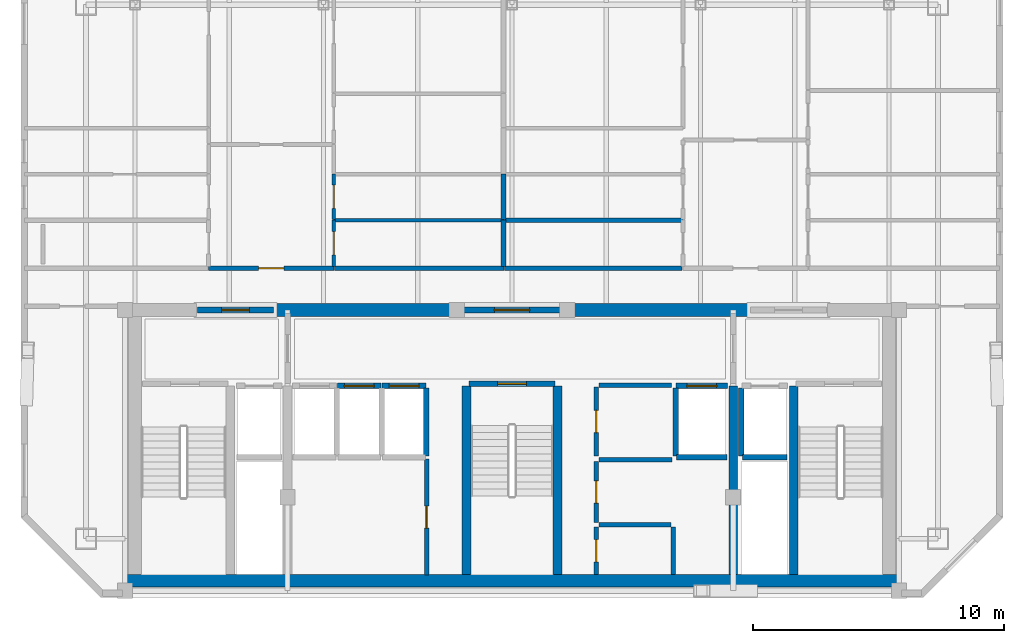
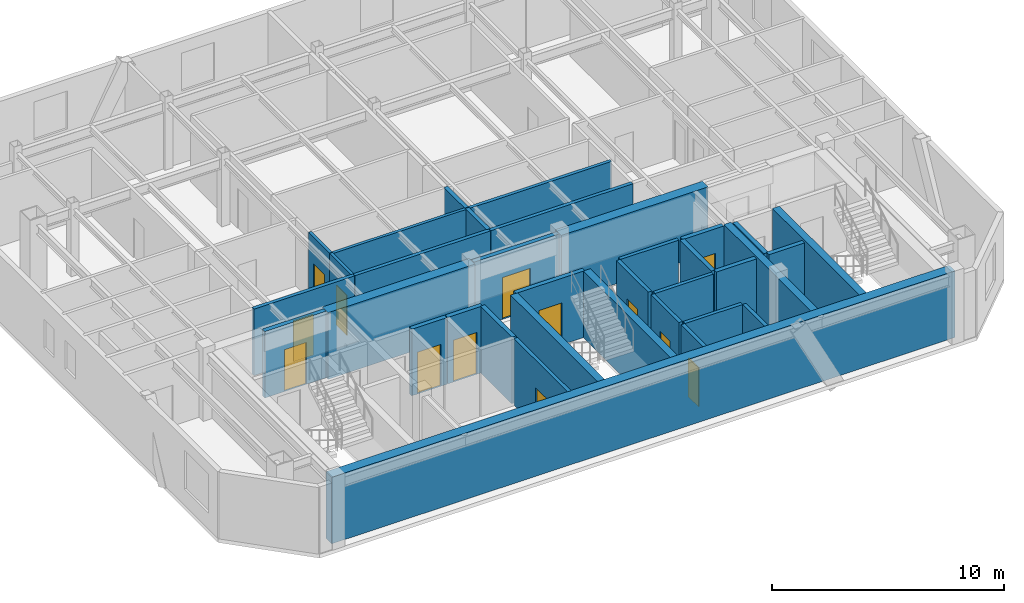
# One storey, part 3 of 7: 35 walls, 13 doors, 13 openings.
"""IFC4 building model written with IfcOpenShell, lengths in metres."""

import ifcopenshell
import ifcopenshell.guid

model = None  # the IFC model being written
_history = None  # IfcOwnerHistory: only IFC2X3 demands one
_inside = {}  # id of a spatial element -> (the spatial element, [elements in it])
_under = {}  # id of a project, library or spatial element -> (it, [spatial elements below it])
_declared = {}  # id of a project -> (the project, [libraries it declares])
_typed = {}  # id of a type object -> (the type object, [elements of that type])
_made_of = {}  # id of a material, layer set ... -> (it, [elements and type objects made of it])


def new_model(schema):
    """Start an empty IFC model of exactly this schema.

    Asked for "IFC4X3", IfcOpenShell would pick the latest addendum, in which some entities
    have other attributes; the version numbers below select the first issue.
    IFC2X3 requires an IfcOwnerHistory on every rooted entity: one is made here for all.
    """
    global model, _history
    if schema == "IFC4X3":
        model = ifcopenshell.file(schema_version=(4, 3, 0, 0))
    else:
        model = ifcopenshell.file(schema=schema)
    _inside.clear()
    _under.clear()
    _declared.clear()
    _typed.clear()
    _made_of.clear()
    _history = None
    if model.schema == "IFC2X3":
        org = make("IfcOrganization", Name="unknown")
        user = make(
            "IfcPersonAndOrganization",
            ThePerson=make("IfcPerson", FamilyName="unknown"),
            TheOrganization=org,
        )
        app = make(
            "IfcApplication",
            ApplicationDeveloper=org,
            Version="unknown",
            ApplicationFullName="unknown",
            ApplicationIdentifier="unknown",
        )
        _history = make(
            "IfcOwnerHistory",
            OwningUser=user,
            OwningApplication=app,
            ChangeAction="ADDED",
            CreationDate=0,
        )
    return model


def make(cls, **values):
    """One entity of the class cls with the attributes given. An attribute that is None is left unset."""
    return model.create_entity(
        cls, **{name: value for name, value in values.items() if value is not None}
    )


def rooted(cls, **values):
    """An entity with a GlobalId (a new one), such as an element, a storey or a relation."""
    return make(cls, GlobalId=ifcopenshell.guid.new(), OwnerHistory=_history, **values)


def si_unit(unit_type, name, prefix=None):
    """IfcSIUnit, for example si_unit("LENGTHUNIT", "METRE", prefix="MILLI")."""
    return make("IfcSIUnit", UnitType=unit_type, Prefix=prefix, Name=name)


def assignment(units):
    """IfcUnitAssignment: the units of a project."""
    return None if units is None else make("IfcUnitAssignment", Units=units)


def point(xyz):
    """IfcCartesianPoint."""
    return None if xyz is None else make("IfcCartesianPoint", Coordinates=xyz)


def direction(xyz):
    """IfcDirection."""
    return None if xyz is None else make("IfcDirection", DirectionRatios=xyz)


def frame(location, z_axis=None, x_axis=None):
    """IfcAxis2Placement3D, a coordinate frame: its origin and axes. An axis left out is left unset."""
    return make(
        "IfcAxis2Placement3D",
        Location=point(location),
        Axis=direction(z_axis),
        RefDirection=direction(x_axis),
    )


def frame_2d(location, x_axis=None):
    """IfcAxis2Placement2D, a coordinate frame in the plane: its origin and x axis."""
    return make(
        "IfcAxis2Placement2D", Location=point(location), RefDirection=direction(x_axis)
    )


def origin():
    """The frame at (0, 0, 0) with its axes left unset."""
    return frame((0.0, 0.0, 0.0))


def place(relative_to, where):
    """IfcLocalPlacement: puts the frame where relative to a parent placement (None: the world)."""
    return make(
        "IfcLocalPlacement", PlacementRelTo=relative_to, RelativePlacement=where
    )


def context(
    kind, dimensions, precision=None, world=None, true_north=None, identifier=None
):
    """IfcGeometricRepresentationContext, for example the 3D "Model" context."""
    return make(
        "IfcGeometricRepresentationContext",
        ContextIdentifier=identifier,
        ContextType=kind,
        CoordinateSpaceDimension=dimensions,
        Precision=precision,
        WorldCoordinateSystem=world,
        TrueNorth=true_north,
    )


def subcontext(parent, identifier, kind, view, scale=None):
    """IfcGeometricRepresentationSubContext, for example "Body" below "Model"."""
    return make(
        "IfcGeometricRepresentationSubContext",
        ContextIdentifier=identifier,
        ContextType=kind,
        ParentContext=parent,
        TargetScale=scale,
        TargetView=view,
    )


def project(units=None, contexts=None):
    """IfcProject with its units and contexts."""
    return rooted(
        "IfcProject",
        Name="project",
        RepresentationContexts=contexts,
        UnitsInContext=assignment(units),
    )


def spatial(cls, under=None, at=None, **own):
    """A site, building, storey or space (cls), placed at a placement, below another one or the project."""
    s = rooted(cls, ObjectPlacement=at, **own)
    if under is not None:
        _under.setdefault(under.id(), (under, []))[1].append(s)
    return s


def profile(cls, at=None, kind="AREA", **sizes):
    """A parametric profile (cls). Its sizes go by their IFC names, for example OverallWidth=200.0."""
    return make(cls, ProfileType=kind, Position=at, **sizes)


def rectangle(**sizes):
    """IfcRectangleProfileDef."""
    return profile("IfcRectangleProfileDef", **sizes)


def extrude(swept, where, along, depth):
    """IfcExtrudedAreaSolid: the profile swept, set in the frame where, extruded along a direction by depth."""
    return make(
        "IfcExtrudedAreaSolid",
        SweptArea=swept,
        Position=where,
        ExtrudedDirection=direction(along),
        Depth=depth,
    )


def shape(context_of_items, identifier, shape_type, items):
    """IfcShapeRepresentation: the items that make up one representation, for example the "Body"."""
    return make(
        "IfcShapeRepresentation",
        ContextOfItems=context_of_items,
        RepresentationIdentifier=identifier,
        RepresentationType=shape_type,
        Items=items,
    )


def material(Name=None, Category=None):
    """IfcMaterial."""
    return make("IfcMaterial", Name=Name, Category=Category)


def layer(
    of_material, thickness, ventilated=None, Name=None, Category=None, Priority=None
):
    """IfcMaterialLayer: one layer of a wall or slab, of a material (None: an air gap)."""
    return make(
        "IfcMaterialLayer",
        Material=of_material,
        LayerThickness=thickness,
        IsVentilated=ventilated,
        Name=Name,
        Category=Category,
        Priority=Priority,
    )


def layer_set(layers, Name=None):
    """IfcMaterialLayerSet."""
    return make("IfcMaterialLayerSet", MaterialLayers=layers, LayerSetName=Name)


def made_of(thing, what):
    """Note that an element or type object is made of a material, layer set ...; save() writes the relation."""
    if what is not None:
        _made_of.setdefault(what.id(), (what, []))[1].append(thing)
    return thing


def type_object(cls, material=None, **own):
    """A type object (cls), such as IfcWallType, which elements share."""
    return made_of(rooted(cls, **own), material)


def element(
    cls,
    number,
    at=None,
    inside=None,
    cuts=None,
    type_object=None,
    material=None,
    context=None,
    identifier="Body",
    shape_type=None,
    held_by="IfcProductDefinitionShape",
    body=None,
    shapes=None,
    **own,
):
    """One element of the class cls, such as IfcWall. Its Tag is "e" and its number.

    at: its placement. inside: the storey or other place that contains it. cuts: it is an
    opening in that element (IfcRelVoidsElement). A single representation is given by context,
    identifier, shape_type and body (its items); several are given by shapes. held_by: the class
    of the entity that holds the representations. save() writes the other relations.
    """
    e = rooted(cls, Tag="e%d" % number, ObjectPlacement=at, **own)
    if body is not None:
        shapes = [shape(context, identifier, shape_type, body)]
    if shapes is not None:
        e.Representation = make(held_by, Representations=shapes)
    if inside is not None:
        _inside.setdefault(inside.id(), (inside, []))[1].append(e)
    if cuts is not None:
        rooted(
            "IfcRelVoidsElement", RelatingBuildingElement=cuts, RelatedOpeningElement=e
        )
    if type_object is not None:
        _typed.setdefault(type_object.id(), (type_object, []))[1].append(e)
    return made_of(e, material)


def fill(opening, filler):
    """IfcRelFillsElement: the door or window that sits in an opening."""
    return rooted(
        "IfcRelFillsElement",
        RelatingOpeningElement=opening,
        RelatedBuildingElement=filler,
    )


def aggregate(whole, parts):
    """IfcRelAggregates: a whole, such as a stair, and the parts it consists of."""
    return rooted("IfcRelAggregates", RelatingObject=whole, RelatedObjects=parts)


def save(model, path):
    """Write the relations noted so far, then the file.

    IfcRelAggregates (storeys below a building ...), IfcRelContainedInSpatialStructure (elements
    in a storey), IfcRelDefinesByType, IfcRelAssociatesMaterial and IfcRelDeclares: one each for
    every whole, place, type object, material and project.
    """
    for whole, parts in _under.values():
        aggregate(whole, parts)
    for where, things in _inside.values():
        rooted(
            "IfcRelContainedInSpatialStructure",
            RelatedElements=things,
            RelatingStructure=where,
        )
    for kind, things in _typed.values():
        rooted("IfcRelDefinesByType", RelatedObjects=things, RelatingType=kind)
    for what, things in _made_of.values():
        rooted("IfcRelAssociatesMaterial", RelatedObjects=things, RelatingMaterial=what)
    for by, libraries in _declared.values():
        rooted("IfcRelDeclares", RelatingContext=by, RelatedDefinitions=libraries)
    model.write(path)


model = new_model("IFC4")

# Units and contexts
model_context = context("Model", 3, precision=1e-05, world=origin(), true_north=direction((0.0, 1.0)))
body_context = subcontext(model_context, "Body", "Model", "MODEL_VIEW")
ifc_project = project(units=[si_unit("LENGTHUNIT", "METRE"), si_unit("AREAUNIT", "SQUARE_METRE"), si_unit("VOLUMEUNIT", "CUBIC_METRE"), si_unit("PLANEANGLEUNIT", "RADIAN"), si_unit("MASSUNIT", "GRAM", prefix="KILO")], contexts=[model_context])

# Site, building, storey
site_placement = place(None, origin())
site = spatial("IfcSite", under=ifc_project, at=site_placement, CompositionType="ELEMENT")
building_placement = place(site_placement, origin())
building = spatial("IfcBuilding", under=site, at=building_placement, Name="Ventersveld Concourse Tower", CompositionType="ELEMENT")
storey_placement = place(building_placement, frame((0.0, 0.0, 328.449951171875)))
storey = spatial("IfcBuildingStorey", under=building, at=storey_placement, Name="L81", CompositionType="ELEMENT", Elevation=328.449951171875)

# Walls
ifc_material_1 = material(Name="Concrete C50/60", Category="concrete")
ifc_layer_1 = layer(ifc_material_1, 0.35009765625)
ifc_layer_set_1 = layer_set([ifc_layer_1], Name="Concrete C50/60")
wall_type_1 = type_object("IfcWallType", Name="WL-CORE-350U", PredefinedType="SHEAR", material=ifc_layer_set_1)
for number, where, z_axis, x_axis, name in (
    (1, (26.93994140625, 0.919921875, 0.0), (0.0, 0.0, 1.0), (0.0, 1.0, 0.0), "L81 Core Internal Shear Web W-ST3-W"),
    (2, (30.56005859375, 0.919921875, 0.0), (0.0, 0.0, 1.0), (0.0, 1.0, 0.0), "L81 Core Internal Shear Web W-ST3-E"),
    (3, (37.550048828125, 0.919921875, 0.0), (0.0, 0.0, 1.0), (0.0, 1.0, 0.0), "L81 Core Internal Shear Web W-SVL-W"),
    (4, (39.9599609375, 0.919921875, 0.0), (0.0, 0.0, 1.0), (0.0, 1.0, 0.0), "L81 Core Internal Shear Web W-ST2-W"),
):
    element("IfcWall", number, at=place(storey_placement, frame(where, z_axis=z_axis, x_axis=x_axis)), inside=storey, type_object=wall_type_1, Name=name, PredefinedType="SHEAR", context=body_context, shape_type="SweptSolid", body=[
        extrude(rectangle(XDim=7.5, YDim=0.35009765625, at=frame_2d((3.75, 0.0))), origin(), (0.0, 0.0, 1.0), 3.5),
    ])
ifc_layer_2 = layer(ifc_material_1, 0.5)
ifc_layer_set_2 = layer_set([ifc_layer_2], Name="Concrete C50/60")
wall_type_2 = type_object("IfcWallType", Name="WL-CORE-500", PredefinedType="SHEAR", material=ifc_layer_set_2)
wall_1_placement = place(storey_placement, frame((13.25, 0.669921875, 0.0), z_axis=(0.0, 0.0, 1.0), x_axis=(1.0, 0.0, 0.0)))
element("IfcWall", 5, at=wall_1_placement, inside=storey, type_object=wall_type_2, Name="L81 Rear Core South Shear Wall", PredefinedType="SHEAR", context=body_context, shape_type="SweptSolid", body=[
    extrude(rectangle(XDim=31.0, YDim=0.5, at=frame_2d((15.5, 0.0))), origin(), (0.0, 0.0, 1.0), 3.5),
])
for number, where, z_axis, x_axis, name in (
    (6, (19.300048828125, 11.449951171875, 0.0), (0.0, 0.0, 1.0), (1.0, 0.0, 0.0), "L81 Rear Core North Shear Wall NML"),
    (7, (30.89990234375, 11.449951171875, 0.0), (0.0, 0.0, 1.0), (1.0, 0.0, 0.0), "L81 Rear Core North Shear Wall NMR"),
):
    element("IfcWall", number, at=place(storey_placement, frame(where, z_axis=z_axis, x_axis=x_axis)), inside=storey, type_object=wall_type_2, Name=name, PredefinedType="SHEAR", context=body_context, shape_type="SweptSolid", body=[
        extrude(rectangle(XDim=7.300048828125, YDim=0.5, at=frame_2d((3.64990234375, 0.0))), origin(), (0.0, 0.0, 1.0), 3.5),
    ])

# Wall, opening, door
ifc_material_2 = material(Name="Fire-rated autoclaved aerated masonry blockwork", Category="masonry")
ifc_layer_3 = layer(ifc_material_2, 0.179931640625)
ifc_layer_set_3 = layer_set([ifc_layer_3], Name="Fire-rated autoclaved aerated masonry blockwork")
wall_type_3 = type_object("IfcWallType", Name="WL-CORR-180", PredefinedType="PARTITIONING", material=ifc_layer_set_3)
wall_2_placement = place(storey_placement, frame((25.35009765625, 0.89990234375, 0.0), z_axis=(0.0, 0.0, 1.0), x_axis=(0.0, 1.0, 0.0)))
wall_2 = element("IfcWall", 8, at=wall_2_placement, inside=storey, type_object=wall_type_3, Name="L81 Core Passage Wall SP-L81-RECB1A", PredefinedType="PARTITIONING", context=body_context, shape_type="SweptSolid", body=[
    extrude(rectangle(XDim=4.6201171875, YDim=0.179931640625, at=frame_2d((2.31005859375, 0.0))), origin(), (0.0, 0.0, 1.0), 3.5),
])
opening_1_placement = place(wall_2_placement, frame((1.8701171875, 0.0, 0.0)))
opening_1 = element("IfcOpeningElement", 9, at=opening_1_placement, cuts=wall_2, Name="Opening FD5", PredefinedType="OPENING", context=body_context, shape_type="SweptSolid", body=[
    extrude(rectangle(XDim=0.8798828125, YDim=2.050048828125, at=frame_2d((0.43994140625, 1.02490234375))), frame((0.0, 0.10009765625, 0.0), z_axis=(0.0, -1.0, 0.0), x_axis=(1.0, 0.0, 0.0)), (0.0, 0.0, 1.0), 0.199951171875),
])
ifc_material_3 = material(Name="Galvanised painted steel", Category="steel")
door_type_1 = type_object("IfcDoorType", Name="DR-RISER-088", OperationType="NOTDEFINED", PredefinedType="DOOR", material=ifc_material_3)
door_1_placement = place(opening_1_placement, origin())
door_1 = element("IfcDoor", 10, at=door_1_placement, inside=storey, type_object=door_type_1, Name="L81 Core Room Door L81 Reclaimed Core Meeting Pod (CD-L81-3674)", OperationType="SINGLE_SWING_LEFT", OverallHeight=2.050048828125, OverallWidth=0.8798828125, PredefinedType="DOOR", context=body_context, shape_type="SweptSolid", body=[
    extrude(rectangle(XDim=0.8798828125, YDim=2.050048828125, at=frame_2d((0.43994140625, 1.02490234375))), frame((0.0, 0.02490234375, 0.0), z_axis=(0.0, -1.0, 0.0), x_axis=(1.0, 0.0, 0.0)), (0.0, 0.0, 1.0), 0.050048828125),
])
fill(opening_1, door_1)

wall_3_placement = place(storey_placement, frame((32.10009765625, 0.919921875, 0.0), z_axis=(0.0, 0.0, 1.0), x_axis=(0.0, 1.0, 0.0)))
wall_3 = element("IfcWall", 11, at=wall_3_placement, inside=storey, type_object=wall_type_3, Name="L81 Core Passage Wall SP-L81-RECB2S", PredefinedType="PARTITIONING", context=body_context, shape_type="SweptSolid", body=[
    extrude(rectangle(XDim=1.900146484375, YDim=0.179931640625, at=frame_2d((0.9501953125, 0.0))), origin(), (0.0, 0.0, 1.0), 3.5),
])
opening_2_placement = place(wall_3_placement, frame((0.510009765625, 0.0, 0.0)))
opening_2 = element("IfcOpeningElement", 12, at=opening_2_placement, cuts=wall_3, Name="Opening FD5", PredefinedType="OPENING", context=body_context, shape_type="SweptSolid", body=[
    extrude(rectangle(XDim=0.8798828125, YDim=2.050048828125, at=frame_2d((0.43994140625, 1.02490234375))), frame((0.0, 0.10009765625, 0.0), z_axis=(0.0, -1.0, 0.0), x_axis=(1.0, 0.0, 0.0)), (0.0, 0.0, 1.0), 0.199951171875),
])
door_2_placement = place(opening_2_placement, origin())
door_2 = element("IfcDoor", 13, at=door_2_placement, inside=storey, type_object=door_type_1, Name="L81 Core Room Door L81 Reclaimed Core Archive Store (CD-L81-3675)", OperationType="SINGLE_SWING_RIGHT", OverallHeight=2.050048828125, OverallWidth=0.8798828125, PredefinedType="DOOR", context=body_context, shape_type="SweptSolid", body=[
    extrude(rectangle(XDim=0.8798828125, YDim=2.050048828125, at=frame_2d((0.43994140625, 1.02490234375))), frame((0.0, 0.02490234375, 0.0), z_axis=(0.0, -1.0, 0.0), x_axis=(1.0, 0.0, 0.0)), (0.0, 0.0, 1.0), 0.050048828125),
])
fill(opening_2, door_2)

# Walls
wall_4_placement = place(storey_placement, frame((32.219970703125, 2.89990234375, 0.0), z_axis=(0.0, 0.0, 1.0), x_axis=(1.0, 0.0, 0.0)))
element("IfcWall", 14, at=wall_4_placement, inside=storey, type_object=wall_type_3, Name="L81 Core Top Wall SP-L81-RECB2S", PredefinedType="PARTITIONING", context=body_context, shape_type="SweptSolid", body=[
    extrude(rectangle(XDim=2.860107421875, YDim=0.179931640625, at=frame_2d((1.43017578125, 0.0))), origin(), (0.0, 0.0, 1.0), 3.5),
])
wall_5_placement = place(storey_placement, frame((35.159912109375, 0.919921875, 0.0), z_axis=(0.0, 0.0, 1.0), x_axis=(0.0, 1.0, 0.0)))
element("IfcWall", 15, at=wall_5_placement, inside=storey, type_object=wall_type_3, Name="L81 Core East Wall SP-L81-RECB2S", PredefinedType="PARTITIONING", context=body_context, shape_type="SweptSolid", body=[
    extrude(rectangle(XDim=1.900146484375, YDim=0.179931640625, at=frame_2d((0.9501953125, 0.0))), origin(), (0.0, 0.0, 1.0), 3.5),
])

# Wall, opening, door
wall_6_placement = place(storey_placement, frame((32.10009765625, 3.0, 0.0), z_axis=(0.0, 0.0, 1.0), x_axis=(0.0, 1.0, 0.0)))
wall_6 = element("IfcWall", 16, at=wall_6_placement, inside=storey, type_object=wall_type_3, Name="L81 Core Passage Wall SP-L81-RECB2N", PredefinedType="PARTITIONING", context=body_context, shape_type="SweptSolid", body=[
    extrude(rectangle(XDim=2.419921875, YDim=0.179931640625, at=frame_2d((1.2099609375, 0.0))), origin(), (0.0, 0.0, 1.0), 3.5),
])
opening_3_placement = place(wall_6_placement, frame((0.77001953125, 0.0, 0.0)))
opening_3 = element("IfcOpeningElement", 17, at=opening_3_placement, cuts=wall_6, Name="Opening FD5", PredefinedType="OPENING", context=body_context, shape_type="SweptSolid", body=[
    extrude(rectangle(XDim=0.8798828125, YDim=2.050048828125, at=frame_2d((0.43994140625, 1.02490234375))), frame((0.0, 0.10009765625, 0.0), z_axis=(0.0, -1.0, 0.0), x_axis=(1.0, 0.0, 0.0)), (0.0, 0.0, 1.0), 0.199951171875),
])
door_3_placement = place(opening_3_placement, origin())
door_3 = element("IfcDoor", 18, at=door_3_placement, inside=storey, type_object=door_type_1, Name="L81 Core Room Door L81 Reclaimed Core Housekeeping Room (CD-L81-3676)", OperationType="SINGLE_SWING_LEFT", OverallHeight=2.050048828125, OverallWidth=0.8798828125, PredefinedType="DOOR", context=body_context, shape_type="SweptSolid", body=[
    extrude(rectangle(XDim=0.8798828125, YDim=2.050048828125, at=frame_2d((0.43994140625, 1.02490234375))), frame((0.0, 0.02490234375, 0.0), z_axis=(0.0, -1.0, 0.0), x_axis=(1.0, 0.0, 0.0)), (0.0, 0.0, 1.0), 0.050048828125),
])
fill(opening_3, door_3)

# Wall
wall_7_placement = place(storey_placement, frame((32.219970703125, 5.5, 0.0), z_axis=(0.0, 0.0, 1.0), x_axis=(1.0, 0.0, 0.0)))
element("IfcWall", 19, at=wall_7_placement, inside=storey, type_object=wall_type_3, Name="L81 Core Top Wall SP-L81-RECB2N", PredefinedType="PARTITIONING", context=body_context, shape_type="SweptSolid", body=[
    extrude(rectangle(XDim=2.900146484375, YDim=0.179931640625, at=frame_2d((1.4501953125, 0.0))), origin(), (0.0, 0.0, 1.0), 3.5),
])

# Wall, opening, door
wall_8_placement = place(storey_placement, frame((32.10009765625, 5.64990234375, 0.0), z_axis=(0.0, 0.0, 1.0), x_axis=(0.0, 1.0, 0.0)))
wall_8 = element("IfcWall", 20, at=wall_8_placement, inside=storey, type_object=wall_type_3, Name="L81 Core Passage Wall SP-L81-CBAY1", PredefinedType="PARTITIONING", context=body_context, shape_type="SweptSolid", body=[
    extrude(rectangle(XDim=2.72998046875, YDim=0.179931640625, at=frame_2d((1.364990234375, 0.0))), origin(), (0.0, 0.0, 1.0), 3.5),
])
opening_4_placement = place(wall_8_placement, frame((0.925048828125, 0.0, 0.0)))
opening_4 = element("IfcOpeningElement", 21, at=opening_4_placement, cuts=wall_8, Name="Opening FD5", PredefinedType="OPENING", context=body_context, shape_type="SweptSolid", body=[
    extrude(rectangle(XDim=0.8798828125, YDim=2.050048828125, at=frame_2d((0.43994140625, 1.02490234375))), frame((0.0, 0.10009765625, 0.0), z_axis=(0.0, -1.0, 0.0), x_axis=(1.0, 0.0, 0.0)), (0.0, 0.0, 1.0), 0.199951171875),
])
door_4_placement = place(opening_4_placement, origin())
door_4 = element("IfcDoor", 22, at=door_4_placement, inside=storey, type_object=door_type_1, Name="L81 Core Room Door L81 Core Parcel Store (CD-L81-3677)", OperationType="SINGLE_SWING_RIGHT", OverallHeight=2.050048828125, OverallWidth=0.8798828125, PredefinedType="DOOR", context=body_context, shape_type="SweptSolid", body=[
    extrude(rectangle(XDim=0.8798828125, YDim=2.050048828125, at=frame_2d((0.43994140625, 1.02490234375))), frame((0.0, 0.02490234375, 0.0), z_axis=(0.0, -1.0, 0.0), x_axis=(1.0, 0.0, 0.0)), (0.0, 0.0, 1.0), 0.050048828125),
])
fill(opening_4, door_4)

# Wall
wall_9_placement = place(storey_placement, frame((32.219970703125, 8.4599609375, 0.0), z_axis=(0.0, 0.0, 1.0), x_axis=(1.0, 0.0, 0.0)))
element("IfcWall", 23, at=wall_9_placement, inside=storey, type_object=wall_type_3, Name="L81 Core Top Wall SP-L81-CBAY1", PredefinedType="PARTITIONING", context=body_context, shape_type="SweptSolid", body=[
    extrude(rectangle(XDim=2.880126953125, YDim=0.179931640625, at=frame_2d((1.43994140625, 0.0))), origin(), (0.0, 0.0, 1.0), 3.5),
])

# Wall, opening, door
wall_10_placement = place(storey_placement, frame((16.6748046875, 13.114990234375, 0.0), z_axis=(0.0, 0.0, 1.0), x_axis=(1.0, 0.0, 0.0)))
wall_10 = element("IfcWall", 24, at=wall_10_placement, inside=storey, type_object=wall_type_3, Name="L81 Interior Partition SP-L81-COR-SP-L81-81N1-FOY", PredefinedType="PARTITIONING", context=body_context, shape_type="SweptSolid", body=[
    extrude(rectangle(XDim=4.989990234375, YDim=0.179931640625, at=frame_2d((2.4951171875, 0.0))), origin(), (0.0, 0.0, 1.0), 3.5),
])
opening_5_placement = place(wall_10_placement, frame((1.9951171875, 0.0, 0.0)))
opening_5 = element("IfcOpeningElement", 25, at=opening_5_placement, cuts=wall_10, Name="Opening FD3", PredefinedType="OPENING", context=body_context, shape_type="SweptSolid", body=[
    extrude(rectangle(XDim=1.0, YDim=2.14990234375, at=frame_2d((0.5, 1.074951171875))), frame((0.0, 0.10009765625, 0.0), z_axis=(0.0, -1.0, 0.0), x_axis=(1.0, 0.0, 0.0)), (0.0, 0.0, 1.0), 0.199951171875),
])
ifc_material_4 = material(Name="Solid-core hardwood veneer timber", Category="wood")
door_type_2 = type_object("IfcDoorType", Name="DR-FLAT-100", OperationType="NOTDEFINED", PredefinedType="DOOR", material=ifc_material_4)
door_5_placement = place(opening_5_placement, origin())
door_5 = element("IfcDoor", 26, at=door_5_placement, inside=storey, type_object=door_type_2, Name="L81 Interior Door SP-L81-COR to SP-L81-81N1-FOY (FD-L81-3680)", OperationType="SINGLE_SWING_RIGHT", OverallHeight=2.14990234375, OverallWidth=1.0, PredefinedType="DOOR", context=body_context, shape_type="SweptSolid", body=[
    extrude(rectangle(XDim=1.0, YDim=2.14990234375, at=frame_2d((0.5, 1.074951171875))), frame((0.0, 0.02490234375, 0.0), z_axis=(0.0, -1.0, 0.0), x_axis=(1.0, 0.0, 0.0)), (0.0, 0.0, 1.0), 0.050048828125),
])
fill(opening_5, door_5)

# Walls
wall_11_placement = place(storey_placement, frame((21.69482421875, 13.114990234375, 0.0), z_axis=(0.0, 0.0, 1.0), x_axis=(1.0, 0.0, 0.0)))
element("IfcWall", 27, at=wall_11_placement, inside=storey, type_object=wall_type_3, Name="L81 Interior Partition SP-L81-COR-SP-L81-81N1-KIT", PredefinedType="PARTITIONING", context=body_context, shape_type="SweptSolid", body=[
    extrude(rectangle(XDim=6.7294921875, YDim=0.179931640625, at=frame_2d((3.36474609375, 0.0))), origin(), (0.0, 0.0, 1.0), 3.5),
])
wall_12_placement = place(storey_placement, frame((28.4541015625, 13.114990234375, 0.0), z_axis=(0.0, 0.0, 1.0), x_axis=(1.0, 0.0, 0.0)))
element("IfcWall", 28, at=wall_12_placement, inside=storey, type_object=wall_type_3, Name="L81 Interior Partition SP-L81-COR-SP-L81-81N2-BATH", PredefinedType="PARTITIONING", context=body_context, shape_type="SweptSolid", body=[
    extrude(rectangle(XDim=7.06103515625, YDim=0.179931640625, at=frame_2d((3.530517578125, 0.0))), origin(), (0.0, 0.0, 1.0), 3.5),
])
ifc_layer_4 = layer(ifc_material_2, 0.199951171875)
ifc_layer_set_4 = layer_set([ifc_layer_4], Name="Fire-rated autoclaved aerated masonry blockwork")
wall_type_4 = type_object("IfcWallType", Name="WL-DEMISE-200", PredefinedType="PARTITIONING", material=ifc_layer_set_4)
wall_13_placement = place(storey_placement, frame((28.419189453125, 13.18505859375, 0.0), z_axis=(0.0, 0.0, 1.0), x_axis=(0.0, 1.0, 0.0)))
element("IfcWall", 29, at=wall_13_placement, inside=storey, type_object=wall_type_4, Name="L81 Interior Partition SP-L81-81N1-KIT-SP-L81-81N2-BATH", PredefinedType="PARTITIONING", context=body_context, shape_type="SweptSolid", body=[
    extrude(rectangle(XDim=1.83984375, YDim=0.199951171875, at=frame_2d((0.919921875, 0.0))), origin(), (0.0, 0.0, 1.0), 3.5),
])
wall_14_placement = place(storey_placement, frame((28.419189453125, 15.054931640625, 0.0), z_axis=(0.0, 0.0, 1.0), x_axis=(0.0, 1.0, 0.0)))
element("IfcWall", 30, at=wall_14_placement, inside=storey, type_object=wall_type_4, Name="L81 Interior Partition SP-L81-81N1-PANR1-SP-L81-81N2-PANL0", PredefinedType="PARTITIONING", context=body_context, shape_type="SweptSolid", body=[
    extrude(rectangle(XDim=1.800048828125, YDim=0.199951171875, at=frame_2d((0.89990234375, 0.0))), origin(), (0.0, 0.0, 1.0), 3.5),
])
ifc_layer_5 = layer(ifc_material_2, 0.219970703125)
ifc_layer_set_5 = layer_set([ifc_layer_5], Name="Fire-rated autoclaved aerated masonry blockwork")
wall_type_5 = type_object("IfcWallType", Name="WL-HOIST-220", PredefinedType="SOLIDWALL", material=ifc_layer_set_5)
wall_15_placement = place(storey_placement, frame((37.919921875, 5.590087890625, 0.0), z_axis=(0.0, 0.0, 1.0), x_axis=(1.0, 0.0, 0.0)))
element("IfcWall", 31, at=wall_15_placement, inside=storey, type_object=wall_type_5, Name="L81 Lift Hoistway Back Wall FFL-02", PredefinedType="SOLIDWALL", context=body_context, shape_type="SweptSolid", body=[
    extrude(rectangle(XDim=1.780029296875, YDim=0.219970703125, at=frame_2d((0.89013671875, 0.0))), origin(), (0.0, 0.0, 1.0), 3.5),
])
wall_16_placement = place(storey_placement, frame((37.8798828125, 5.64990234375, 0.0), z_axis=(0.0, 0.0, 1.0), x_axis=(0.0, 1.0, 0.0)))
element("IfcWall", 32, at=wall_16_placement, inside=storey, type_object=wall_type_5, Name="L81 Lift Hoistway Side Wall FFL-02W", PredefinedType="SOLIDWALL", context=body_context, shape_type="SweptSolid", body=[
    extrude(rectangle(XDim=2.7001953125, YDim=0.219970703125, at=frame_2d((1.35009765625, 0.0))), origin(), (0.0, 0.0, 1.0), 3.5),
])
wall_17_placement = place(storey_placement, frame((35.300048828125, 5.590087890625, 0.0), z_axis=(0.0, 0.0, 1.0), x_axis=(1.0, 0.0, 0.0)))
element("IfcWall", 33, at=wall_17_placement, inside=storey, type_object=wall_type_5, Name="L81 Lift Hoistway Back Wall SVL-01", PredefinedType="SOLIDWALL", context=body_context, shape_type="SweptSolid", body=[
    extrude(rectangle(XDim=2.0, YDim=0.219970703125, at=frame_2d((1.0, 0.0))), origin(), (0.0, 0.0, 1.0), 3.5),
])
wall_18_placement = place(storey_placement, frame((35.260009765625, 5.64990234375, 0.0), z_axis=(0.0, 0.0, 1.0), x_axis=(0.0, 1.0, 0.0)))
element("IfcWall", 34, at=wall_18_placement, inside=storey, type_object=wall_type_5, Name="L81 Lift Hoistway Side Wall SVL-01W", PredefinedType="SOLIDWALL", context=body_context, shape_type="SweptSolid", body=[
    extrude(rectangle(XDim=2.7001953125, YDim=0.219970703125, at=frame_2d((1.35009765625, 0.0))), origin(), (0.0, 0.0, 1.0), 3.5),
])

# Wall, opening, door
wall_19_placement = place(storey_placement, frame((35.280029296875, 8.429931640625, 0.0), z_axis=(0.0, 0.0, 1.0), x_axis=(1.0, 0.0, 0.0)))
wall_19 = element("IfcWall", 35, at=wall_19_placement, inside=storey, type_object=wall_type_5, Name="L81 Lift Hoistway Front Wall SVL-01", PredefinedType="SOLIDWALL", context=body_context, shape_type="SweptSolid", body=[
    extrude(rectangle(XDim=2.0400390625, YDim=0.219970703125, at=frame_2d((1.02001953125, 0.0))), origin(), (0.0, 0.0, 1.0), 3.5),
])
opening_6_placement = place(wall_19_placement, frame((0.429931640625, 0.0, 0.0)))
opening_6 = element("IfcOpeningElement", 36, at=opening_6_placement, cuts=wall_19, Name="Opening LD2", PredefinedType="OPENING", context=body_context, shape_type="SweptSolid", body=[
    extrude(rectangle(XDim=1.179931640625, YDim=2.199951171875, at=frame_2d((0.58984375, 1.10009765625))), frame((0.0, 0.1201171875, 0.0), z_axis=(0.0, -1.0, 0.0), x_axis=(1.0, 0.0, 0.0)), (0.0, 0.0, 1.0), 0.239990234375),
])
ifc_material_5 = material(Name="Brushed stainless steel 316", Category="steel")
door_type_3 = type_object("IfcDoorType", Name="LD-PAX-118", OperationType="SLIDING_TO_LEFT", PredefinedType="DOOR", material=ifc_material_5)
door_6_placement = place(opening_6_placement, origin())
door_6 = element("IfcDoor", 37, at=door_6_placement, inside=storey, type_object=door_type_3, Name="L81 Lift landing door SVL-01 (LD-L81-SVL-01)", OperationType="SLIDING_TO_RIGHT", OverallHeight=2.199951171875, OverallWidth=1.179931640625, PredefinedType="DOOR", context=body_context, shape_type="SweptSolid", body=[
    extrude(rectangle(XDim=1.179931640625, YDim=2.199951171875, at=frame_2d((0.58984375, 1.10009765625))), frame((0.0, 0.02490234375, 0.0), z_axis=(0.0, -1.0, 0.0), x_axis=(1.0, 0.0, 0.0)), (0.0, 0.0, 1.0), 0.050048828125),
])
fill(opening_6, door_6)

wall_20_placement = place(storey_placement, frame((21.800048828125, 8.429931640625, 0.0), z_axis=(0.0, 0.0, 1.0), x_axis=(1.0, 0.0, 0.0)))
wall_20 = element("IfcWall", 38, at=wall_20_placement, inside=storey, type_object=wall_type_5, Name="L81 Lift Hoistway Front Wall PH-02", PredefinedType="SOLIDWALL", context=body_context, shape_type="SweptSolid", body=[
    extrude(rectangle(XDim=1.739990234375, YDim=0.219970703125, at=frame_2d((0.8701171875, 0.0))), origin(), (0.0, 0.0, 1.0), 3.5),
])
opening_7_placement = place(wall_20_placement, frame((0.280029296875, 0.0, 0.0)))
opening_7 = element("IfcOpeningElement", 39, at=opening_7_placement, cuts=wall_20, Name="Opening LD2", PredefinedType="OPENING", context=body_context, shape_type="SweptSolid", body=[
    extrude(rectangle(XDim=1.179931640625, YDim=2.199951171875, at=frame_2d((0.58984375, 1.10009765625))), frame((0.0, 0.1201171875, 0.0), z_axis=(0.0, -1.0, 0.0), x_axis=(1.0, 0.0, 0.0)), (0.0, 0.0, 1.0), 0.239990234375),
])
door_7_placement = place(opening_7_placement, origin())
door_7 = element("IfcDoor", 40, at=door_7_placement, inside=storey, type_object=door_type_3, Name="L81 Lift landing door PH-02 (LD-L81-PH-02)", OperationType="SLIDING_TO_RIGHT", OverallHeight=2.199951171875, OverallWidth=1.179931640625, PredefinedType="DOOR", context=body_context, shape_type="SweptSolid", body=[
    extrude(rectangle(XDim=1.179931640625, YDim=2.199951171875, at=frame_2d((0.58984375, 1.10009765625))), frame((0.0, 0.02490234375, 0.0), z_axis=(0.0, -1.0, 0.0), x_axis=(1.0, 0.0, 0.0)), (0.0, 0.0, 1.0), 0.050048828125),
])
fill(opening_7, door_7)

# Wall
wall_21_placement = place(storey_placement, frame((25.340087890625, 5.64990234375, 0.0), z_axis=(0.0, 0.0, 1.0), x_axis=(0.0, 1.0, 0.0)))
element("IfcWall", 41, at=wall_21_placement, inside=storey, type_object=wall_type_5, Name="L81 Lift Hoistway Side Wall PH-03E", PredefinedType="SOLIDWALL", context=body_context, shape_type="SweptSolid", body=[
    extrude(rectangle(XDim=2.7001953125, YDim=0.219970703125, at=frame_2d((1.35009765625, 0.0))), origin(), (0.0, 0.0, 1.0), 3.5),
])

# Wall, opening, door
wall_22_placement = place(storey_placement, frame((23.580078125, 8.429931640625, 0.0), z_axis=(0.0, 0.0, 1.0), x_axis=(1.0, 0.0, 0.0)))
wall_22 = element("IfcWall", 42, at=wall_22_placement, inside=storey, type_object=wall_type_5, Name="L81 Lift Hoistway Front Wall PH-03", PredefinedType="SOLIDWALL", context=body_context, shape_type="SweptSolid", body=[
    extrude(rectangle(XDim=1.739990234375, YDim=0.219970703125, at=frame_2d((0.8701171875, 0.0))), origin(), (0.0, 0.0, 1.0), 3.5),
])
opening_8_placement = place(wall_22_placement, frame((0.280029296875, 0.0, 0.0)))
opening_8 = element("IfcOpeningElement", 43, at=opening_8_placement, cuts=wall_22, Name="Opening LD2", PredefinedType="OPENING", context=body_context, shape_type="SweptSolid", body=[
    extrude(rectangle(XDim=1.179931640625, YDim=2.199951171875, at=frame_2d((0.58984375, 1.10009765625))), frame((0.0, 0.1201171875, 0.0), z_axis=(0.0, -1.0, 0.0), x_axis=(1.0, 0.0, 0.0)), (0.0, 0.0, 1.0), 0.239990234375),
])
door_8_placement = place(opening_8_placement, origin())
door_8 = element("IfcDoor", 44, at=door_8_placement, inside=storey, type_object=door_type_3, Name="L81 Lift landing door PH-03 (LD-L81-PH-03)", OperationType="SLIDING_TO_LEFT", OverallHeight=2.199951171875, OverallWidth=1.179931640625, PredefinedType="DOOR", context=body_context, shape_type="SweptSolid", body=[
    extrude(rectangle(XDim=1.179931640625, YDim=2.199951171875, at=frame_2d((0.58984375, 1.10009765625))), frame((0.0, 0.02490234375, 0.0), z_axis=(0.0, -1.0, 0.0), x_axis=(1.0, 0.0, 0.0)), (0.0, 0.0, 1.0), 0.050048828125),
])
fill(opening_8, door_8)

wall_23_placement = place(storey_placement, frame((27.0400390625, 8.52001953125, 0.0), z_axis=(0.0, 0.0, 1.0), x_axis=(1.0, 0.0, 0.0)))
wall_23 = element("IfcWall", 45, at=wall_23_placement, inside=storey, type_object=wall_type_5, Name="L81 Escape Stair ST03 Fire Wall", PredefinedType="SOLIDWALL", context=body_context, shape_type="SweptSolid", body=[
    extrude(rectangle(XDim=3.419921875, YDim=0.219970703125, at=frame_2d((1.7099609375, 0.0))), origin(), (0.0, 0.0, 1.0), 3.5),
])
opening_9_placement = place(wall_23_placement, frame((1.135009765625, 0.0, 0.0)))
opening_9 = element("IfcOpeningElement", 46, at=opening_9_placement, cuts=wall_23, Name="Opening FD1", PredefinedType="OPENING", context=body_context, shape_type="SweptSolid", body=[
    extrude(rectangle(XDim=1.14990234375, YDim=2.199951171875, at=frame_2d((0.574951171875, 1.10009765625))), frame((0.0, 0.1201171875, 0.0), z_axis=(0.0, -1.0, 0.0), x_axis=(1.0, 0.0, 0.0)), (0.0, 0.0, 1.0), 0.239990234375),
])
door_type_4 = type_object("IfcDoorType", Name="DR-STAIR-115", OperationType="NOTDEFINED", PredefinedType="DOOR", material=ifc_material_3)
door_9_placement = place(opening_9_placement, origin())
door_9 = element("IfcDoor", 47, at=door_9_placement, inside=storey, type_object=door_type_4, Name="L81 Escape Stair Door ST03 (SD-L81-3668)", OperationType="SINGLE_SWING_LEFT", OverallHeight=2.199951171875, OverallWidth=1.14990234375, PredefinedType="DOOR", context=body_context, shape_type="SweptSolid", body=[
    extrude(rectangle(XDim=1.14990234375, YDim=2.199951171875, at=frame_2d((0.574951171875, 1.10009765625))), frame((0.0, 0.02490234375, 0.0), z_axis=(0.0, -1.0, 0.0), x_axis=(1.0, 0.0, 0.0)), (0.0, 0.0, 1.0), 0.050048828125),
])
fill(opening_9, door_9)

wall_24_placement = place(storey_placement, frame((16.22998046875, 11.449951171875, 0.0), z_axis=(0.0, 0.0, 1.0), x_axis=(1.0, 0.0, 0.0)))
wall_24 = element("IfcWall", 48, at=wall_24_placement, inside=storey, type_object=wall_type_5, Name="L81 Core North Fire Portal FFLW-OUT", PredefinedType="SOLIDWALL", context=body_context, shape_type="SweptSolid", body=[
    extrude(rectangle(XDim=3.0400390625, YDim=0.219970703125, at=frame_2d((1.52001953125, 0.0))), origin(), (0.0, 0.0, 1.0), 3.5),
])
opening_10_placement = place(wall_24_placement, frame((0.969970703125, 0.0, 0.0)))
opening_10 = element("IfcOpeningElement", 49, at=opening_10_placement, cuts=wall_24, Name="Opening FD2", PredefinedType="OPENING", context=body_context, shape_type="SweptSolid", body=[
    extrude(rectangle(XDim=1.10009765625, YDim=2.199951171875, at=frame_2d((0.550048828125, 1.10009765625))), frame((0.0, 0.1201171875, 0.0), z_axis=(0.0, -1.0, 0.0), x_axis=(1.0, 0.0, 0.0)), (0.0, 0.0, 1.0), 0.239990234375),
])
door_type_5 = type_object("IfcDoorType", Name="DR-FFL-110", OperationType="NOTDEFINED", PredefinedType="DOOR", material=ifc_material_3)
door_10_placement = place(opening_10_placement, origin())
door_10 = element("IfcDoor", 50, at=door_10_placement, inside=storey, type_object=door_type_5, Name="L81 Core Lobby Fire Door FFLW-OUT (FD-L81-3671)", OperationType="SINGLE_SWING_RIGHT", OverallHeight=2.199951171875, OverallWidth=1.10009765625, PredefinedType="DOOR", context=body_context, shape_type="SweptSolid", body=[
    extrude(rectangle(XDim=1.10009765625, YDim=2.199951171875, at=frame_2d((0.550048828125, 1.10009765625))), frame((0.0, 0.02490234375, 0.0), z_axis=(0.0, -1.0, 0.0), x_axis=(1.0, 0.0, 0.0)), (0.0, 0.0, 1.0), 0.050048828125),
])
fill(opening_10, door_10)

wall_25_placement = place(storey_placement, frame((26.6298828125, 11.449951171875, 0.0), z_axis=(0.0, 0.0, 1.0), x_axis=(1.0, 0.0, 0.0)))
wall_25 = element("IfcWall", 51, at=wall_25_placement, inside=storey, type_object=wall_type_5, Name="L81 Core North Fire Portal PLOB-OUT", PredefinedType="SOLIDWALL", context=body_context, shape_type="SweptSolid", body=[
    extrude(rectangle(XDim=4.240234375, YDim=0.219970703125, at=frame_2d((2.1201171875, 0.0))), origin(), (0.0, 0.0, 1.0), 3.5),
])
opening_11_placement = place(wall_25_placement, frame((1.419921875, 0.0, 0.0)))
opening_11 = element("IfcOpeningElement", 52, at=opening_11_placement, cuts=wall_25, Name="Opening FD4", PredefinedType="OPENING", context=body_context, shape_type="SweptSolid", body=[
    extrude(rectangle(XDim=1.39990234375, YDim=2.199951171875, at=frame_2d((0.699951171875, 1.10009765625))), frame((0.0, 0.1201171875, 0.0), z_axis=(0.0, -1.0, 0.0), x_axis=(1.0, 0.0, 0.0)), (0.0, 0.0, 1.0), 0.239990234375),
])
door_type_6 = type_object("IfcDoorType", Name="DR-PLANT-140", OperationType="DOUBLE_DOOR_SINGLE_SWING", PredefinedType="DOOR", material=ifc_material_3)
door_11_placement = place(opening_11_placement, origin())
door_11 = element("IfcDoor", 53, at=door_11_placement, inside=storey, type_object=door_type_6, Name="L81 Core Lobby Fire Door PLOB-OUT (FD-L81-3672)", OperationType="DOUBLE_DOOR_SINGLE_SWING", OverallHeight=2.199951171875, OverallWidth=1.39990234375, PredefinedType="DOOR", context=body_context, shape_type="SweptSolid", body=[
    extrude(rectangle(XDim=1.39990234375, YDim=2.199951171875, at=frame_2d((0.699951171875, 1.10009765625))), frame((0.0, 0.02490234375, 0.0), z_axis=(0.0, -1.0, 0.0), x_axis=(1.0, 0.0, 0.0)), (0.0, 0.0, 1.0), 0.050048828125),
])
fill(opening_11, door_11)

ifc_material_6 = material(Name="Autoclaved aerated masonry blockwork", Category="masonry")
ifc_layer_6 = layer(ifc_material_6, 0.14990234375)
ifc_layer_set_6 = layer_set([ifc_layer_6], Name="Autoclaved aerated masonry blockwork")
wall_type_6 = type_object("IfcWallType", Name="WL-INT-150", PredefinedType="PARTITIONING", material=ifc_layer_set_6)
wall_26_placement = place(storey_placement, frame((21.659912109375, 13.18505859375, 0.0), z_axis=(0.0, 0.0, 1.0), x_axis=(0.0, 1.0, 0.0)))
wall_26 = element("IfcWall", 54, at=wall_26_placement, inside=storey, type_object=wall_type_6, Name="L81 Interior Partition SP-L81-81N1-FOY-SP-L81-81N1-KIT", PredefinedType="PARTITIONING", context=body_context, shape_type="SweptSolid", body=[
    extrude(rectangle(XDim=1.83984375, YDim=0.14990234375, at=frame_2d((0.919921875, 0.0))), origin(), (0.0, 0.0, 1.0), 3.5),
])
opening_12_placement = place(wall_26_placement, frame((0.4599609375, 0.0, 0.0)))
opening_12 = element("IfcOpeningElement", 55, at=opening_12_placement, cuts=wall_26, Name="Opening ID1", PredefinedType="OPENING", context=body_context, shape_type="SweptSolid", body=[
    extrude(rectangle(XDim=0.919921875, YDim=2.10009765625, at=frame_2d((0.4599609375, 1.050048828125))), frame((0.0, 0.0849609375, 0.0), z_axis=(0.0, -1.0, 0.0), x_axis=(1.0, 0.0, 0.0)), (0.0, 0.0, 1.0), 0.169921875),
])
door_type_7 = type_object("IfcDoorType", Name="DR-ROOM-092", OperationType="NOTDEFINED", PredefinedType="DOOR", material=ifc_material_4)
door_12_placement = place(opening_12_placement, origin())
door_12 = element("IfcDoor", 56, at=door_12_placement, inside=storey, type_object=door_type_7, Name="L81 Interior Door SP-L81-81N1-FOY to SP-L81-81N1-KIT (D-L81-3685)", OperationType="SINGLE_SWING_LEFT", OverallHeight=2.10009765625, OverallWidth=0.919921875, PredefinedType="DOOR", context=body_context, shape_type="SweptSolid", body=[
    extrude(rectangle(XDim=0.919921875, YDim=2.10009765625, at=frame_2d((0.4599609375, 1.050048828125))), frame((0.0, 0.02490234375, 0.0), z_axis=(0.0, -1.0, 0.0), x_axis=(1.0, 0.0, 0.0)), (0.0, 0.0, 1.0), 0.050048828125),
])
fill(opening_12, door_12)

wall_27_placement = place(storey_placement, frame((21.659912109375, 15.054931640625, 0.0), z_axis=(0.0, 0.0, 1.0), x_axis=(0.0, 1.0, 0.0)))
wall_27 = element("IfcWall", 57, at=wall_27_placement, inside=storey, type_object=wall_type_6, Name="L81 Interior Partition SP-L81-81N1-FOY-SP-L81-81N1-PANR1", PredefinedType="PARTITIONING", context=body_context, shape_type="SweptSolid", body=[
    extrude(rectangle(XDim=1.800048828125, YDim=0.14990234375, at=frame_2d((0.89990234375, 0.0))), origin(), (0.0, 0.0, 1.0), 3.5),
])
opening_13_placement = place(wall_27_placement, frame((0.43994140625, 0.0, 0.0)))
opening_13 = element("IfcOpeningElement", 58, at=opening_13_placement, cuts=wall_27, Name="Opening ID1", PredefinedType="OPENING", context=body_context, shape_type="SweptSolid", body=[
    extrude(rectangle(XDim=0.919921875, YDim=2.10009765625, at=frame_2d((0.4599609375, 1.050048828125))), frame((0.0, 0.0849609375, 0.0), z_axis=(0.0, -1.0, 0.0), x_axis=(1.0, 0.0, 0.0)), (0.0, 0.0, 1.0), 0.169921875),
])
door_13_placement = place(opening_13_placement, origin())
door_13 = element("IfcDoor", 59, at=door_13_placement, inside=storey, type_object=door_type_7, Name="L81 Interior Door SP-L81-81N1-FOY to SP-L81-81N1-PANR1 (D-L81-3686)", OperationType="SINGLE_SWING_RIGHT", OverallHeight=2.10009765625, OverallWidth=0.919921875, PredefinedType="DOOR", context=body_context, shape_type="SweptSolid", body=[
    extrude(rectangle(XDim=0.919921875, YDim=2.10009765625, at=frame_2d((0.4599609375, 1.050048828125))), frame((0.0, 0.02490234375, 0.0), z_axis=(0.0, -1.0, 0.0), x_axis=(1.0, 0.0, 0.0)), (0.0, 0.0, 1.0), 0.050048828125),
])
fill(opening_13, door_13)

# Walls
wall_28_placement = place(storey_placement, frame((21.65478515625, 15.02001953125, 0.0), z_axis=(0.0, 0.0, 1.0), x_axis=(1.0, 0.0, 0.0)))
element("IfcWall", 60, at=wall_28_placement, inside=storey, type_object=wall_type_6, Name="L81 Interior Partition SP-L81-81N1-KIT-SP-L81-81N1-PANR1", PredefinedType="PARTITIONING", context=body_context, shape_type="SweptSolid", body=[
    extrude(rectangle(XDim=6.76953125, YDim=0.14990234375, at=frame_2d((3.384765625, 0.0))), origin(), (0.0, 0.0, 1.0), 3.5),
])
ifc_layer_7 = layer(ifc_material_6, 0.1650390625)
ifc_layer_set_7 = layer_set([ifc_layer_7], Name="Autoclaved aerated masonry blockwork")
wall_type_7 = type_object("IfcWallType", Name="WL-WET-165", PredefinedType="PLUMBINGWALL", material=ifc_layer_set_7)
wall_29_placement = place(storey_placement, frame((28.4541015625, 15.02001953125, 0.0), z_axis=(0.0, 0.0, 1.0), x_axis=(1.0, 0.0, 0.0)))
element("IfcWall", 61, at=wall_29_placement, inside=storey, type_object=wall_type_7, Name="L81 Interior Partition SP-L81-81N2-BATH-SP-L81-81N2-PANL0", PredefinedType="PLUMBINGWALL", context=body_context, shape_type="SweptSolid", body=[
    extrude(rectangle(XDim=7.10107421875, YDim=0.1650390625, at=frame_2d((3.550537109375, 0.0))), origin(), (0.0, 0.0, 1.0), 3.5),
])

save(model, "model.ifc")
